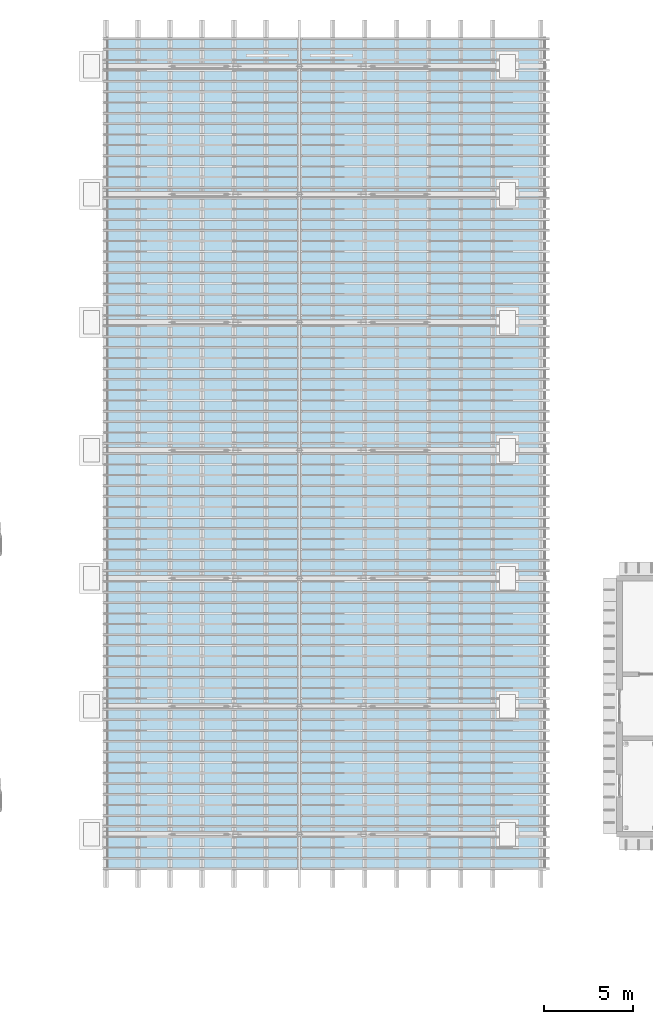
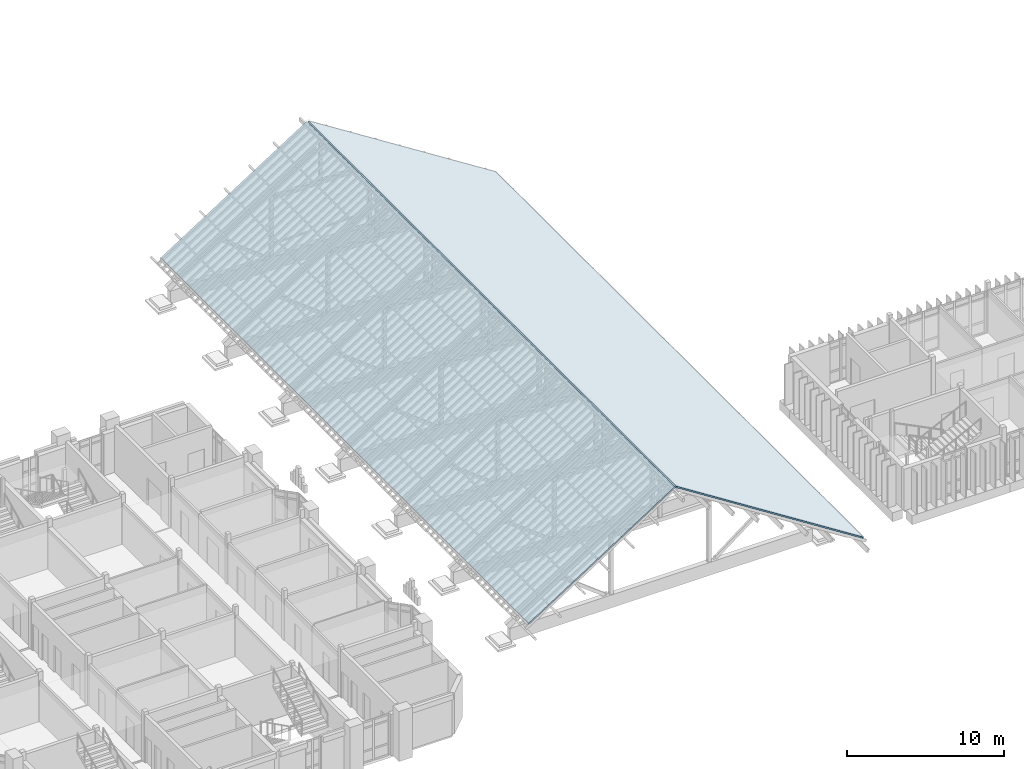
# One storey, part 29 of 71: 2 slabs.
"""IFC4 building model written with IfcOpenShell, lengths in metres."""

from ifc_helpers import new_model, si_unit, direction, frame, origin, place, context, subcontext, project, spatial, polyline, outline, extrude, material, layer, layer_set, type_object, element, save


model = new_model("IFC4")

# Units and contexts
model_context = context("Model", 3, precision=1e-05, world=origin(), true_north=direction((0.0, 1.0)))
body_context = subcontext(model_context, "Body", "Model", "MODEL_VIEW")
ifc_project = project(units=[si_unit("LENGTHUNIT", "METRE"), si_unit("AREAUNIT", "SQUARE_METRE"), si_unit("VOLUMEUNIT", "CUBIC_METRE"), si_unit("PLANEANGLEUNIT", "RADIAN"), si_unit("MASSUNIT", "GRAM", prefix="KILO")], contexts=[model_context])

# Site, building, storey
site_placement = place(None, origin())
site = spatial("IfcSite", under=ifc_project, at=site_placement, CompositionType="ELEMENT")
building_placement = place(site_placement, origin())
building = spatial("IfcBuilding", under=site, at=building_placement, Name="Mazhai Court Health Centre", CompositionType="ELEMENT")
storey_placement = place(building_placement, frame((0.0, 0.0, 10.199951171875)))
storey = spatial("IfcBuildingStorey", under=building, at=storey_placement, Name="L02", CompositionType="ELEMENT", Elevation=10.199951171875)

# Slabs
ifc_material = material(Name="CLT C24 3-ply", Category="wood")
ifc_layer = layer(ifc_material, 0.10009765625)
ifc_layer_set = layer_set([ifc_layer], Name="CLT C24 3-ply roof panel 100")
slab_type = type_object("IfcSlabType", Name="CLT C24 3-ply roof panel 100", PredefinedType="ROOF", material=ifc_layer_set)
slab_1_placement = place(storey_placement, frame((42.199951171875, 11.39990234375, 2.401123046875), z_axis=(-0.537654889366, 0.0, 0.843165001611), x_axis=(0.843165001611, 0.0, 0.537654889366)))
element("IfcSlab", 1, at=slab_1_placement, inside=storey, type_object=slab_type, Name="Roof slab RV1-RS1", PredefinedType="ROOF", context=body_context, shape_type="SweptSolid", body=[
    extrude(outline(polyline([(0.0, 0.0), (12.745237136380435, 0.0), (12.745237136380435, 46.800048828125), (0.0, 46.800048828125), (0.0, 0.0)])), origin(), (0.0, 0.0, -1.0), 0.10009765625),
])
slab_2_placement = place(storey_placement, frame((66.800048828125, 11.39990234375, 0.488037109375), z_axis=(0.537659152915, 0.0, 0.843162282889), x_axis=(0.0, 1.0, 0.0)))
element("IfcSlab", 2, at=slab_2_placement, inside=storey, type_object=slab_type, Name="Roof slab RV1-RS2", PredefinedType="ROOF", context=body_context, shape_type="SweptSolid", body=[
    extrude(outline(polyline([(0.0, 0.0), (46.800048828125, 0.0), (46.800048828125, 16.30331214949458), (0.0, 16.30331214949458), (0.0, 0.0)])), origin(), (0.0, 0.0, -1.0), 0.10009765625),
])

save(model, "model.ifc")
